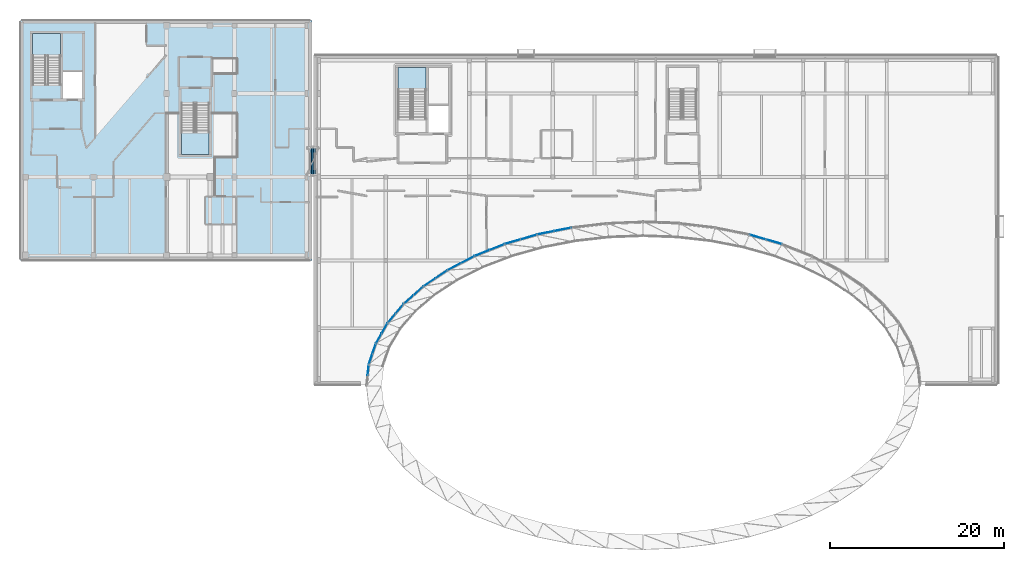
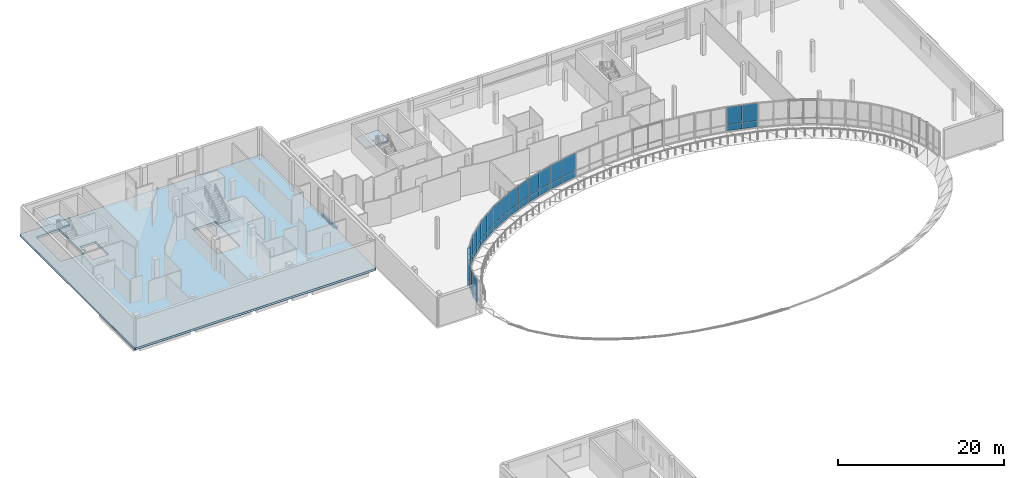
# One storey, part 19 of 41: 44 plates, 5 slabs, 14 elements without a shape of their own.
"""IFC4 building model written with IfcOpenShell, lengths in metres."""

from ifc_helpers import new_model, si_unit, direction, frame, origin, origin_2d, place, context, subcontext, project, spatial, polyline, rectangle, outline, extrude, material, layer, layer_set, type_object, element, aggregate, save


model = new_model("IFC4")

# Units and contexts
model_context = context("Model", 3, precision=1e-05, world=origin(), true_north=direction((0.0, 1.0)))
body_context = subcontext(model_context, "Body", "Model", "MODEL_VIEW")
ifc_project = project(units=[si_unit("LENGTHUNIT", "METRE"), si_unit("AREAUNIT", "SQUARE_METRE"), si_unit("VOLUMEUNIT", "CUBIC_METRE"), si_unit("PLANEANGLEUNIT", "RADIAN"), si_unit("MASSUNIT", "GRAM", prefix="KILO")], contexts=[model_context])

# Site, building, storey
site_placement = place(None, origin())
site = spatial("IfcSite", under=ifc_project, at=site_placement, CompositionType="ELEMENT")
building_placement = place(site_placement, origin())
building = spatial("IfcBuilding", under=site, at=building_placement, Name="Mzevani Central Library", CompositionType="ELEMENT")
storey_placement = place(building_placement, frame((0.0, 0.0, 13.800048828125)))
storey = spatial("IfcBuildingStorey", under=building, at=storey_placement, Name="L03", CompositionType="ELEMENT", Elevation=13.800048828125)

# Curtain wall, plates
ifc_material_1 = material(Name="Thermally broken aluminium and Low-E triple glazing", Category="aluminium")
curtain_wall_type_1 = type_object("IfcCurtainWallType", Name="Elliptical Court Unitised Curtain Wall", PredefinedType="NOTDEFINED", material=ifc_material_1)
curtain_wall_1_placement = place(storey_placement, origin())
curtain_wall_1 = element("IfcCurtainWall", 1, at=curtain_wall_1_placement, inside=storey, type_object=curtain_wall_type_1, Name="L03 Elliptical Court Curtain Wall 9", PredefinedType="NOTDEFINED")
ifc_material_2 = material(Name="Thermally broken aluminium AW-6060", Category="aluminium")
ifc_layer_1 = layer(ifc_material_2, 0.0419921875, Name="CW Insulated Spandrel Panel 42")
ifc_layer_set_1 = layer_set([ifc_layer_1], Name="Thermally broken aluminium AW-6060")
plate_type_1 = type_object("IfcPlateType", Name="CW Insulated Spandrel Panel 42", PredefinedType="CURTAIN_PANEL", material=ifc_layer_set_1)
plate_1_placement = place(storey_placement, frame((99.014404296875, 92.556640625, 0.719970703125), z_axis=(0.0, 0.0, 1.0), x_axis=(-0.960310239652, 0.278934120574, 0.0)))
plate_1 = element("IfcPlate", 2, at=plate_1_placement, type_object=plate_type_1, Name="L03 Elliptical Court Curtain Wall 9 Spandrel Panel 1", PredefinedType="CURTAIN_PANEL", context=body_context, shape_type="SweptSolid", body=[
    extrude(rectangle(XDim=1.93017578125, YDim=0.0419921875, at=origin_2d()), origin(), (0.0, 0.0, 1.0), 0.89990234375),
])
plate_2_placement = place(storey_placement, frame((97.160888671875, 93.094970703125, 0.719970703125), z_axis=(0.0, 0.0, 1.0), x_axis=(-0.960310239652, 0.278934120574, 0.0)))
plate_2 = element("IfcPlate", 3, at=plate_2_placement, type_object=plate_type_1, Name="L03 Elliptical Court Curtain Wall 9 Spandrel Panel 3", PredefinedType="CURTAIN_PANEL", context=body_context, shape_type="SweptSolid", body=[
    extrude(rectangle(XDim=1.93017578125, YDim=0.0419921875, at=origin_2d()), origin(), (0.0, 0.0, 1.0), 0.89990234375),
])

curtain_wall_2_placement = place(storey_placement, origin())
curtain_wall_2 = element("IfcCurtainWall", 4, at=curtain_wall_2_placement, inside=storey, type_object=curtain_wall_type_1, Name="L03 Elliptical Court Curtain Wall 15", PredefinedType="NOTDEFINED")
plate_3_placement = place(storey_placement, frame((74.73291015625, 93.97314453125, 0.719970703125), z_axis=(0.0, 0.0, 1.0), x_axis=(-0.980591396284, -0.196062524553, 0.0)))
plate_3 = element("IfcPlate", 5, at=plate_3_placement, type_object=plate_type_1, Name="L03 Elliptical Court Curtain Wall 15 Spandrel Panel 1", PredefinedType="CURTAIN_PANEL", context=body_context, shape_type="SweptSolid", body=[
    extrude(rectangle(XDim=1.995849609375, YDim=0.0419921875, at=origin_2d()), origin(), (0.0, 0.0, 1.0), 0.89990234375),
])
plate_4_placement = place(storey_placement, frame((72.77587890625, 93.581787109375, 0.719970703125), z_axis=(0.0, 0.0, 1.0), x_axis=(-0.980591396284, -0.196062524553, 0.0)))
plate_4 = element("IfcPlate", 6, at=plate_4_placement, type_object=plate_type_1, Name="L03 Elliptical Court Curtain Wall 15 Spandrel Panel 3", PredefinedType="CURTAIN_PANEL", context=body_context, shape_type="SweptSolid", body=[
    extrude(rectangle(XDim=1.995849609375, YDim=0.0419921875, at=origin_2d()), origin(), (0.0, 0.0, 1.0), 0.89990234375),
])

curtain_wall_type_2 = type_object("IfcCurtainWallType", Name="Reading Hall Northlight Curtain Wall", PredefinedType="NOTDEFINED", material=ifc_material_1)
curtain_wall_3_placement = place(storey_placement, origin())
curtain_wall_3 = element("IfcCurtainWall", 7, at=curtain_wall_3_placement, inside=storey, type_object=curtain_wall_type_2, Name="L03 Elliptical Court Curtain Wall 16", PredefinedType="NOTDEFINED")
plate_5_placement = place(storey_placement, frame((70.839111328125, 93.094970703125, 0.719970703125), z_axis=(0.0, 0.0, 1.0), x_axis=(-0.960310239652, -0.278934120574, 0.0)))
plate_5 = element("IfcPlate", 8, at=plate_5_placement, type_object=plate_type_1, Name="L03 Elliptical Court Curtain Wall 16 Spandrel Panel 1", PredefinedType="CURTAIN_PANEL", context=body_context, shape_type="SweptSolid", body=[
    extrude(rectangle(XDim=1.93017578125, YDim=0.0419921875, at=origin_2d()), origin(), (0.0, 0.0, 1.0), 0.89990234375),
])
plate_6_placement = place(storey_placement, frame((68.985595703125, 92.556640625, 0.719970703125), z_axis=(0.0, 0.0, 1.0), x_axis=(-0.960310239652, -0.278934120574, 0.0)))
plate_6 = element("IfcPlate", 9, at=plate_6_placement, type_object=plate_type_1, Name="L03 Elliptical Court Curtain Wall 16 Spandrel Panel 3", PredefinedType="CURTAIN_PANEL", context=body_context, shape_type="SweptSolid", body=[
    extrude(rectangle(XDim=1.93017578125, YDim=0.0419921875, at=origin_2d()), origin(), (0.0, 0.0, 1.0), 0.89990234375),
])

curtain_wall_4_placement = place(storey_placement, origin())
curtain_wall_4 = element("IfcCurtainWall", 10, at=curtain_wall_4_placement, inside=storey, type_object=curtain_wall_type_1, Name="L03 Elliptical Court Curtain Wall 17", PredefinedType="NOTDEFINED")
plate_7_placement = place(storey_placement, frame((67.17578125, 91.926025390625, 0.719970703125), z_axis=(0.0, 0.0, 1.0), x_axis=(-0.930531383506, -0.366212157513, 0.0)))
plate_7 = element("IfcPlate", 11, at=plate_7_placement, type_object=plate_type_1, Name="L03 Elliptical Court Curtain Wall 17 Spandrel Panel 1", PredefinedType="CURTAIN_PANEL", context=body_context, shape_type="SweptSolid", body=[
    extrude(rectangle(XDim=1.8466796875, YDim=0.0419921875, at=origin_2d()), origin(), (0.0, 0.0, 1.0), 0.89990234375),
])
plate_8_placement = place(storey_placement, frame((65.457275390625, 91.249755859375, 0.719970703125), z_axis=(0.0, 0.0, 1.0), x_axis=(-0.930531383506, -0.366212157513, 0.0)))
plate_8 = element("IfcPlate", 12, at=plate_8_placement, type_object=plate_type_1, Name="L03 Elliptical Court Curtain Wall 17 Spandrel Panel 3", PredefinedType="CURTAIN_PANEL", context=body_context, shape_type="SweptSolid", body=[
    extrude(rectangle(XDim=1.8466796875, YDim=0.0419921875, at=origin_2d()), origin(), (0.0, 0.0, 1.0), 0.89990234375),
])

curtain_wall_5_placement = place(storey_placement, origin())
curtain_wall_5 = element("IfcCurtainWall", 13, at=curtain_wall_5_placement, inside=storey, type_object=curtain_wall_type_1, Name="L03 Elliptical Court Curtain Wall 18", PredefinedType="NOTDEFINED")
plate_9_placement = place(storey_placement, frame((63.803466796875, 90.487548828125, 0.719970703125), z_axis=(0.0, 0.0, 1.0), x_axis=(-0.888465890854, -0.458942655229, 0.0)))
plate_9 = element("IfcPlate", 14, at=plate_9_placement, type_object=plate_type_1, Name="L03 Elliptical Court Curtain Wall 18 Spandrel Panel 1", PredefinedType="CURTAIN_PANEL", context=body_context, shape_type="SweptSolid", body=[
    extrude(rectangle(XDim=1.748779296875, YDim=0.0419921875, at=origin_2d()), origin(), (0.0, 0.0, 1.0), 0.89990234375),
])
plate_10_placement = place(storey_placement, frame((62.249755859375, 89.684814453125, 0.719970703125), z_axis=(0.0, 0.0, 1.0), x_axis=(-0.888465890854, -0.458942655229, 0.0)))
plate_10 = element("IfcPlate", 15, at=plate_10_placement, type_object=plate_type_1, Name="L03 Elliptical Court Curtain Wall 18 Spandrel Panel 3", PredefinedType="CURTAIN_PANEL", context=body_context, shape_type="SweptSolid", body=[
    extrude(rectangle(XDim=1.748779296875, YDim=0.0419921875, at=origin_2d()), origin(), (0.0, 0.0, 1.0), 0.89990234375),
])

curtain_wall_6_placement = place(storey_placement, origin())
curtain_wall_6 = element("IfcCurtainWall", 16, at=curtain_wall_6_placement, inside=storey, type_object=curtain_wall_type_2, Name="L03 Elliptical Court Curtain Wall 19", PredefinedType="NOTDEFINED")
plate_11_placement = place(storey_placement, frame((60.778564453125, 88.80419921875, 0.719970703125), z_axis=(0.0, 0.0, 1.0), x_axis=(-0.830137838959, -0.557558219676, 0.0)))
plate_11 = element("IfcPlate", 17, at=plate_11_placement, type_object=plate_type_1, Name="L03 Elliptical Court Curtain Wall 19 Spandrel Panel 1", PredefinedType="CURTAIN_PANEL", context=body_context, shape_type="SweptSolid", body=[
    extrude(rectangle(XDim=1.6416015625, YDim=0.0419921875, at=origin_2d()), origin(), (0.0, 0.0, 1.0), 0.89990234375),
])
plate_12_placement = place(storey_placement, frame((59.416015625, 87.888916015625, 0.719970703125), z_axis=(0.0, 0.0, 1.0), x_axis=(-0.830137838959, -0.557558219676, 0.0)))
plate_12 = element("IfcPlate", 18, at=plate_12_placement, type_object=plate_type_1, Name="L03 Elliptical Court Curtain Wall 19 Spandrel Panel 3", PredefinedType="CURTAIN_PANEL", context=body_context, shape_type="SweptSolid", body=[
    extrude(rectangle(XDim=1.6416015625, YDim=0.0419921875, at=origin_2d()), origin(), (0.0, 0.0, 1.0), 0.89990234375),
])

curtain_wall_7_placement = place(storey_placement, origin())
curtain_wall_7 = element("IfcCurtainWall", 19, at=curtain_wall_7_placement, inside=storey, type_object=curtain_wall_type_1, Name="L03 Elliptical Court Curtain Wall 20", PredefinedType="NOTDEFINED")
plate_13_placement = place(storey_placement, frame((58.151123046875, 86.905029296875, 0.719970703125), z_axis=(0.0, 0.0, 1.0), x_axis=(-0.750151465474, -0.661266042412, 0.0)))
plate_13 = element("IfcPlate", 20, at=plate_13_placement, type_object=plate_type_1, Name="L03 Elliptical Court Curtain Wall 20 Spandrel Panel 1", PredefinedType="CURTAIN_PANEL", context=body_context, shape_type="SweptSolid", body=[
    extrude(rectangle(XDim=1.530517578125, YDim=0.0419921875, at=origin_2d()), origin(), (0.0, 0.0, 1.0), 0.89990234375),
])
plate_14_placement = place(storey_placement, frame((57.0029296875, 85.892822265625, 0.719970703125), z_axis=(0.0, 0.0, 1.0), x_axis=(-0.750151465474, -0.661266042412, 0.0)))
plate_14 = element("IfcPlate", 21, at=plate_14_placement, type_object=plate_type_1, Name="L03 Elliptical Court Curtain Wall 20 Spandrel Panel 3", PredefinedType="CURTAIN_PANEL", context=body_context, shape_type="SweptSolid", body=[
    extrude(rectangle(XDim=1.530517578125, YDim=0.0419921875, at=origin_2d()), origin(), (0.0, 0.0, 1.0), 0.89990234375),
])

curtain_wall_8_placement = place(storey_placement, origin())
curtain_wall_8 = element("IfcCurtainWall", 22, at=curtain_wall_8_placement, inside=storey, type_object=curtain_wall_type_1, Name="L03 Elliptical Court Curtain Wall 21", PredefinedType="NOTDEFINED")
plate_15_placement = place(storey_placement, frame((55.96533203125, 84.821533203125, 0.719970703125), z_axis=(0.0, 0.0, 1.0), x_axis=(-0.641968999293, -0.766730594111, 0.0)))
plate_15 = element("IfcPlate", 23, at=plate_15_placement, type_object=plate_type_1, Name="L03 Elliptical Court Curtain Wall 21 Spandrel Panel 1", PredefinedType="CURTAIN_PANEL", context=body_context, shape_type="SweptSolid", body=[
    extrude(rectangle(XDim=1.423828125, YDim=0.0419921875, at=origin_2d()), origin(), (0.0, 0.0, 1.0), 0.89990234375),
])
plate_16_placement = place(storey_placement, frame((55.05126953125, 83.72998046875, 0.719970703125), z_axis=(0.0, 0.0, 1.0), x_axis=(-0.641968999293, -0.766730594111, 0.0)))
plate_16 = element("IfcPlate", 24, at=plate_16_placement, type_object=plate_type_1, Name="L03 Elliptical Court Curtain Wall 21 Spandrel Panel 3", PredefinedType="CURTAIN_PANEL", context=body_context, shape_type="SweptSolid", body=[
    extrude(rectangle(XDim=1.423828125, YDim=0.0419921875, at=origin_2d()), origin(), (0.0, 0.0, 1.0), 0.89990234375),
])

curtain_wall_9_placement = place(storey_placement, origin())
curtain_wall_9 = element("IfcCurtainWall", 25, at=curtain_wall_9_placement, inside=storey, type_object=curtain_wall_type_2, Name="L03 Elliptical Court Curtain Wall 22", PredefinedType="NOTDEFINED")
plate_17_placement = place(storey_placement, frame((54.257568359375, 82.58935546875, 0.719970703125), z_axis=(0.0, 0.0, 1.0), x_axis=(-0.499345378011, -0.866403020228, 0.0)))
plate_17 = element("IfcPlate", 26, at=plate_17_placement, type_object=plate_type_1, Name="L03 Elliptical Court Curtain Wall 22 Spandrel Panel 1", PredefinedType="CURTAIN_PANEL", context=body_context, shape_type="SweptSolid", body=[
    extrude(rectangle(XDim=1.330322265625, YDim=0.0419921875, at=origin_2d()), origin(), (0.0, 0.0, 1.0), 0.89990234375),
])
plate_18_placement = place(storey_placement, frame((53.59326171875, 81.436767578125, 0.719970703125), z_axis=(0.0, 0.0, 1.0), x_axis=(-0.499345378011, -0.866403020228, 0.0)))
plate_18 = element("IfcPlate", 27, at=plate_18_placement, type_object=plate_type_1, Name="L03 Elliptical Court Curtain Wall 22 Spandrel Panel 3", PredefinedType="CURTAIN_PANEL", context=body_context, shape_type="SweptSolid", body=[
    extrude(rectangle(XDim=1.330322265625, YDim=0.0419921875, at=origin_2d()), origin(), (0.0, 0.0, 1.0), 0.89990234375),
])

curtain_wall_10_placement = place(storey_placement, origin())
curtain_wall_10 = element("IfcCurtainWall", 28, at=curtain_wall_10_placement, inside=storey, type_object=curtain_wall_type_1, Name="L03 Elliptical Court Curtain Wall 23", PredefinedType="NOTDEFINED")
plate_19_placement = place(storey_placement, frame((53.056640625, 80.245849609375, 0.719970703125), z_axis=(0.0, 0.0, 1.0), x_axis=(-0.31996321005, -0.947429967974, 0.0)))
plate_19 = element("IfcPlate", 29, at=plate_19_placement, type_object=plate_type_1, Name="L03 Elliptical Court Curtain Wall 23 Spandrel Panel 1", PredefinedType="CURTAIN_PANEL", context=body_context, shape_type="SweptSolid", body=[
    extrude(rectangle(XDim=1.260009765625, YDim=0.0419921875, at=origin_2d()), origin(), (0.0, 0.0, 1.0), 0.89990234375),
])
plate_20_placement = place(storey_placement, frame((52.6533203125, 79.052001953125, 0.719970703125), z_axis=(0.0, 0.0, 1.0), x_axis=(-0.31996321005, -0.947429967974, 0.0)))
plate_20 = element("IfcPlate", 30, at=plate_20_placement, type_object=plate_type_1, Name="L03 Elliptical Court Curtain Wall 23 Spandrel Panel 3", PredefinedType="CURTAIN_PANEL", context=body_context, shape_type="SweptSolid", body=[
    extrude(rectangle(XDim=1.260009765625, YDim=0.0419921875, at=origin_2d()), origin(), (0.0, 0.0, 1.0), 0.89990234375),
])

# Curtain wall, plate
curtain_wall_11_placement = place(storey_placement, origin())
curtain_wall_11 = element("IfcCurtainWall", 31, at=curtain_wall_11_placement, inside=storey, type_object=curtain_wall_type_1, Name="L03 Elliptical Court Curtain Wall 24", PredefinedType="NOTDEFINED")
plate_21_placement = place(storey_placement, frame((52.3828125, 77.83056640625, 0.719970703125), z_axis=(0.0, 0.0, 1.0), x_axis=(-0.110579113657, -0.99386732496, 0.0)))
plate_21 = element("IfcPlate", 32, at=plate_21_placement, type_object=plate_type_1, Name="L03 Elliptical Court Curtain Wall 24 Spandrel Panel 1", PredefinedType="CURTAIN_PANEL", context=body_context, shape_type="SweptSolid", body=[
    extrude(rectangle(XDim=1.22216796875, YDim=0.0419921875, at=origin_2d()), origin(), (0.0, 0.0, 1.0), 0.89990234375),
])

# Plate
ifc_material_3 = material(Name="Low-E triple glazing glass", Category="glass")
ifc_layer_2 = layer(ifc_material_3, 0.028076171875, Name="CW Triple Glazed Vision Panel 28")
ifc_layer_set_2 = layer_set([ifc_layer_2], Name="Low-E triple glazing glass")
plate_type_2 = type_object("IfcPlateType", Name="CW Triple Glazed Vision Panel 28", PredefinedType="CURTAIN_PANEL", material=ifc_layer_set_2)
plate_22_placement = place(storey_placement, frame((99.014404296875, 92.556640625, 1.619873046875), z_axis=(0.0, 0.0, 1.0), x_axis=(-0.960310239652, 0.278934120574, 0.0)))
plate_22 = element("IfcPlate", 33, at=plate_22_placement, type_object=plate_type_2, Name="L03 Elliptical Court Curtain Wall 9 Vision Panel 2", PredefinedType="CURTAIN_PANEL", context=body_context, shape_type="SweptSolid", body=[
    extrude(rectangle(XDim=1.93017578125, YDim=0.028076171875, at=origin_2d()), origin(), (0.0, 0.0, 1.0), 2.60009765625),
])

plate_23_placement = place(storey_placement, frame((97.160888671875, 93.094970703125, 1.619873046875), z_axis=(0.0, 0.0, 1.0), x_axis=(-0.960310239652, 0.278934120574, 0.0)))
plate_23 = element("IfcPlate", 34, at=plate_23_placement, type_object=plate_type_2, Name="L03 Elliptical Court Curtain Wall 9 Vision Panel 4", PredefinedType="CURTAIN_PANEL", context=body_context, shape_type="SweptSolid", body=[
    extrude(rectangle(XDim=1.93017578125, YDim=0.028076171875, at=origin_2d()), origin(), (0.0, 0.0, 1.0), 2.60009765625),
])

aggregate(curtain_wall_1, [plate_1, plate_22, plate_2, plate_23])

plate_24_placement = place(storey_placement, frame((74.73291015625, 93.97314453125, 1.619873046875), z_axis=(0.0, 0.0, 1.0), x_axis=(-0.980591396284, -0.196062524553, 0.0)))
plate_24 = element("IfcPlate", 35, at=plate_24_placement, type_object=plate_type_2, Name="L03 Elliptical Court Curtain Wall 15 Vision Panel 2", PredefinedType="CURTAIN_PANEL", context=body_context, shape_type="SweptSolid", body=[
    extrude(rectangle(XDim=1.995849609375, YDim=0.028076171875, at=origin_2d()), origin(), (0.0, 0.0, 1.0), 2.60009765625),
])

plate_25_placement = place(storey_placement, frame((72.77587890625, 93.581787109375, 1.619873046875), z_axis=(0.0, 0.0, 1.0), x_axis=(-0.980591396284, -0.196062524553, 0.0)))
plate_25 = element("IfcPlate", 36, at=plate_25_placement, type_object=plate_type_2, Name="L03 Elliptical Court Curtain Wall 15 Vision Panel 4", PredefinedType="CURTAIN_PANEL", context=body_context, shape_type="SweptSolid", body=[
    extrude(rectangle(XDim=1.995849609375, YDim=0.028076171875, at=origin_2d()), origin(), (0.0, 0.0, 1.0), 2.60009765625),
])

aggregate(curtain_wall_2, [plate_3, plate_24, plate_4, plate_25])

plate_26_placement = place(storey_placement, frame((70.839111328125, 93.094970703125, 1.619873046875), z_axis=(0.0, 0.0, 1.0), x_axis=(-0.960310239652, -0.278934120574, 0.0)))
plate_26 = element("IfcPlate", 37, at=plate_26_placement, type_object=plate_type_2, Name="L03 Elliptical Court Curtain Wall 16 Vision Panel 2", PredefinedType="CURTAIN_PANEL", context=body_context, shape_type="SweptSolid", body=[
    extrude(rectangle(XDim=1.93017578125, YDim=0.028076171875, at=origin_2d()), origin(), (0.0, 0.0, 1.0), 2.60009765625),
])

plate_27_placement = place(storey_placement, frame((68.985595703125, 92.556640625, 1.619873046875), z_axis=(0.0, 0.0, 1.0), x_axis=(-0.960310239652, -0.278934120574, 0.0)))
plate_27 = element("IfcPlate", 38, at=plate_27_placement, type_object=plate_type_2, Name="L03 Elliptical Court Curtain Wall 16 Vision Panel 4", PredefinedType="CURTAIN_PANEL", context=body_context, shape_type="SweptSolid", body=[
    extrude(rectangle(XDim=1.93017578125, YDim=0.028076171875, at=origin_2d()), origin(), (0.0, 0.0, 1.0), 2.60009765625),
])

aggregate(curtain_wall_3, [plate_5, plate_26, plate_6, plate_27])

plate_28_placement = place(storey_placement, frame((67.17578125, 91.926025390625, 1.619873046875), z_axis=(0.0, 0.0, 1.0), x_axis=(-0.930531383506, -0.366212157513, 0.0)))
plate_28 = element("IfcPlate", 39, at=plate_28_placement, type_object=plate_type_2, Name="L03 Elliptical Court Curtain Wall 17 Vision Panel 2", PredefinedType="CURTAIN_PANEL", context=body_context, shape_type="SweptSolid", body=[
    extrude(rectangle(XDim=1.8466796875, YDim=0.028076171875, at=origin_2d()), origin(), (0.0, 0.0, 1.0), 2.60009765625),
])

plate_29_placement = place(storey_placement, frame((65.457275390625, 91.249755859375, 1.619873046875), z_axis=(0.0, 0.0, 1.0), x_axis=(-0.930531383506, -0.366212157513, 0.0)))
plate_29 = element("IfcPlate", 40, at=plate_29_placement, type_object=plate_type_2, Name="L03 Elliptical Court Curtain Wall 17 Vision Panel 4", PredefinedType="CURTAIN_PANEL", context=body_context, shape_type="SweptSolid", body=[
    extrude(rectangle(XDim=1.8466796875, YDim=0.028076171875, at=origin_2d()), origin(), (0.0, 0.0, 1.0), 2.60009765625),
])

aggregate(curtain_wall_4, [plate_7, plate_28, plate_8, plate_29])

plate_30_placement = place(storey_placement, frame((63.803466796875, 90.487548828125, 1.619873046875), z_axis=(0.0, 0.0, 1.0), x_axis=(-0.888465890854, -0.458942655229, 0.0)))
plate_30 = element("IfcPlate", 41, at=plate_30_placement, type_object=plate_type_2, Name="L03 Elliptical Court Curtain Wall 18 Vision Panel 2", PredefinedType="CURTAIN_PANEL", context=body_context, shape_type="SweptSolid", body=[
    extrude(rectangle(XDim=1.748779296875, YDim=0.028076171875, at=origin_2d()), origin(), (0.0, 0.0, 1.0), 2.60009765625),
])

plate_31_placement = place(storey_placement, frame((62.249755859375, 89.684814453125, 1.619873046875), z_axis=(0.0, 0.0, 1.0), x_axis=(-0.888465890854, -0.458942655229, 0.0)))
plate_31 = element("IfcPlate", 42, at=plate_31_placement, type_object=plate_type_2, Name="L03 Elliptical Court Curtain Wall 18 Vision Panel 4", PredefinedType="CURTAIN_PANEL", context=body_context, shape_type="SweptSolid", body=[
    extrude(rectangle(XDim=1.748779296875, YDim=0.028076171875, at=origin_2d()), origin(), (0.0, 0.0, 1.0), 2.60009765625),
])

aggregate(curtain_wall_5, [plate_9, plate_30, plate_10, plate_31])

plate_32_placement = place(storey_placement, frame((60.778564453125, 88.80419921875, 1.619873046875), z_axis=(0.0, 0.0, 1.0), x_axis=(-0.830137838959, -0.557558219676, 0.0)))
plate_32 = element("IfcPlate", 43, at=plate_32_placement, type_object=plate_type_2, Name="L03 Elliptical Court Curtain Wall 19 Vision Panel 2", PredefinedType="CURTAIN_PANEL", context=body_context, shape_type="SweptSolid", body=[
    extrude(rectangle(XDim=1.6416015625, YDim=0.028076171875, at=origin_2d()), origin(), (0.0, 0.0, 1.0), 2.60009765625),
])

plate_33_placement = place(storey_placement, frame((59.416015625, 87.888916015625, 1.619873046875), z_axis=(0.0, 0.0, 1.0), x_axis=(-0.830137838959, -0.557558219676, 0.0)))
plate_33 = element("IfcPlate", 44, at=plate_33_placement, type_object=plate_type_2, Name="L03 Elliptical Court Curtain Wall 19 Vision Panel 4", PredefinedType="CURTAIN_PANEL", context=body_context, shape_type="SweptSolid", body=[
    extrude(rectangle(XDim=1.6416015625, YDim=0.028076171875, at=origin_2d()), origin(), (0.0, 0.0, 1.0), 2.60009765625),
])

aggregate(curtain_wall_6, [plate_11, plate_32, plate_12, plate_33])

plate_34_placement = place(storey_placement, frame((58.151123046875, 86.905029296875, 1.619873046875), z_axis=(0.0, 0.0, 1.0), x_axis=(-0.750151465474, -0.661266042412, 0.0)))
plate_34 = element("IfcPlate", 45, at=plate_34_placement, type_object=plate_type_2, Name="L03 Elliptical Court Curtain Wall 20 Vision Panel 2", PredefinedType="CURTAIN_PANEL", context=body_context, shape_type="SweptSolid", body=[
    extrude(rectangle(XDim=1.530517578125, YDim=0.028076171875, at=origin_2d()), origin(), (0.0, 0.0, 1.0), 2.60009765625),
])

plate_35_placement = place(storey_placement, frame((57.0029296875, 85.892822265625, 1.619873046875), z_axis=(0.0, 0.0, 1.0), x_axis=(-0.750151465474, -0.661266042412, 0.0)))
plate_35 = element("IfcPlate", 46, at=plate_35_placement, type_object=plate_type_2, Name="L03 Elliptical Court Curtain Wall 20 Vision Panel 4", PredefinedType="CURTAIN_PANEL", context=body_context, shape_type="SweptSolid", body=[
    extrude(rectangle(XDim=1.530517578125, YDim=0.028076171875, at=origin_2d()), origin(), (0.0, 0.0, 1.0), 2.60009765625),
])

aggregate(curtain_wall_7, [plate_13, plate_34, plate_14, plate_35])

plate_36_placement = place(storey_placement, frame((55.96533203125, 84.821533203125, 1.619873046875), z_axis=(0.0, 0.0, 1.0), x_axis=(-0.641968999293, -0.766730594111, 0.0)))
plate_36 = element("IfcPlate", 47, at=plate_36_placement, type_object=plate_type_2, Name="L03 Elliptical Court Curtain Wall 21 Vision Panel 2", PredefinedType="CURTAIN_PANEL", context=body_context, shape_type="SweptSolid", body=[
    extrude(rectangle(XDim=1.423828125, YDim=0.028076171875, at=origin_2d()), origin(), (0.0, 0.0, 1.0), 2.60009765625),
])

plate_37_placement = place(storey_placement, frame((55.05126953125, 83.72998046875, 1.619873046875), z_axis=(0.0, 0.0, 1.0), x_axis=(-0.641968999293, -0.766730594111, 0.0)))
plate_37 = element("IfcPlate", 48, at=plate_37_placement, type_object=plate_type_2, Name="L03 Elliptical Court Curtain Wall 21 Vision Panel 4", PredefinedType="CURTAIN_PANEL", context=body_context, shape_type="SweptSolid", body=[
    extrude(rectangle(XDim=1.423828125, YDim=0.028076171875, at=origin_2d()), origin(), (0.0, 0.0, 1.0), 2.60009765625),
])

aggregate(curtain_wall_8, [plate_15, plate_36, plate_16, plate_37])

plate_38_placement = place(storey_placement, frame((54.257568359375, 82.58935546875, 1.619873046875), z_axis=(0.0, 0.0, 1.0), x_axis=(-0.499345378011, -0.866403020228, 0.0)))
plate_38 = element("IfcPlate", 49, at=plate_38_placement, type_object=plate_type_2, Name="L03 Elliptical Court Curtain Wall 22 Vision Panel 2", PredefinedType="CURTAIN_PANEL", context=body_context, shape_type="SweptSolid", body=[
    extrude(rectangle(XDim=1.330322265625, YDim=0.028076171875, at=origin_2d()), origin(), (0.0, 0.0, 1.0), 2.60009765625),
])

plate_39_placement = place(storey_placement, frame((53.59326171875, 81.436767578125, 1.619873046875), z_axis=(0.0, 0.0, 1.0), x_axis=(-0.499345378011, -0.866403020228, 0.0)))
plate_39 = element("IfcPlate", 50, at=plate_39_placement, type_object=plate_type_2, Name="L03 Elliptical Court Curtain Wall 22 Vision Panel 4", PredefinedType="CURTAIN_PANEL", context=body_context, shape_type="SweptSolid", body=[
    extrude(rectangle(XDim=1.330322265625, YDim=0.028076171875, at=origin_2d()), origin(), (0.0, 0.0, 1.0), 2.60009765625),
])

aggregate(curtain_wall_9, [plate_17, plate_38, plate_18, plate_39])

plate_40_placement = place(storey_placement, frame((53.056640625, 80.245849609375, 1.619873046875), z_axis=(0.0, 0.0, 1.0), x_axis=(-0.31996321005, -0.947429967974, 0.0)))
plate_40 = element("IfcPlate", 51, at=plate_40_placement, type_object=plate_type_2, Name="L03 Elliptical Court Curtain Wall 23 Vision Panel 2", PredefinedType="CURTAIN_PANEL", context=body_context, shape_type="SweptSolid", body=[
    extrude(rectangle(XDim=1.260009765625, YDim=0.028076171875, at=origin_2d()), origin(), (0.0, 0.0, 1.0), 2.60009765625),
])

plate_41_placement = place(storey_placement, frame((52.6533203125, 79.052001953125, 1.619873046875), z_axis=(0.0, 0.0, 1.0), x_axis=(-0.31996321005, -0.947429967974, 0.0)))
plate_41 = element("IfcPlate", 52, at=plate_41_placement, type_object=plate_type_2, Name="L03 Elliptical Court Curtain Wall 23 Vision Panel 4", PredefinedType="CURTAIN_PANEL", context=body_context, shape_type="SweptSolid", body=[
    extrude(rectangle(XDim=1.260009765625, YDim=0.028076171875, at=origin_2d()), origin(), (0.0, 0.0, 1.0), 2.60009765625),
])

aggregate(curtain_wall_10, [plate_19, plate_40, plate_20, plate_41])

plate_42_placement = place(storey_placement, frame((52.3828125, 77.83056640625, 1.619873046875), z_axis=(0.0, 0.0, 1.0), x_axis=(-0.110579113657, -0.99386732496, 0.0)))
plate_42 = element("IfcPlate", 53, at=plate_42_placement, type_object=plate_type_2, Name="L03 Elliptical Court Curtain Wall 24 Vision Panel 2", PredefinedType="CURTAIN_PANEL", context=body_context, shape_type="SweptSolid", body=[
    extrude(rectangle(XDim=1.22216796875, YDim=0.028076171875, at=origin_2d()), origin(), (0.0, 0.0, 1.0), 2.60009765625),
])

aggregate(curtain_wall_11, [plate_21, plate_42])

# Slabs
ifc_material_4 = material(Name="Concrete C40/50", Category="concrete")
ifc_layer_3 = layer(ifc_material_4, 0.320068359375, Name="Compact Stack Floor Slab 320")
ifc_layer_set_3 = layer_set([ifc_layer_3], Name="Concrete C40/50")
slab_type_1 = type_object("IfcSlabType", Name="Compact Stack Floor Slab 320", PredefinedType="FLOOR", material=ifc_layer_set_3)
slab_1_placement = place(storey_placement, frame((0.0, 0.0, -0.320068359375)))
element("IfcSlab", 54, at=slab_1_placement, inside=storey, type_object=slab_type_1, Name="L03 V2 Structural Slab FS-04", PredefinedType="FLOOR", context=body_context, shape_type="SweptSolid", body=[
    extrude(outline(polyline([(45.89990234375, 90.39990234375), (12.39990234375, 90.39990234375), (12.39990234375, 118.0), (45.89990234375, 118.0), (45.89990234375, 90.39990234375)]), holes=[polyline([(17.0, 110.60009765625), (17.0, 116.5), (13.800048828125, 116.5), (13.800048828125, 110.60009765625), (17.0, 110.60009765625)]), polyline([(17.300048828125, 109.0), (19.5, 109.0), (19.5, 112.10009765625), (17.300048828125, 112.10009765625), (17.300048828125, 109.0)]), polyline([(30.89990234375, 108.5), (30.89990234375, 102.60009765625), (34.10009765625, 102.60009765625), (34.10009765625, 108.5), (30.89990234375, 108.5)])]), origin(), (0.0, 0.0, 1.0), 0.320068359375),
])
ifc_material_5 = material(Name="Concrete C35/45", Category="concrete")
ifc_layer_4 = layer(ifc_material_5, 0.239990234375, Name="Seismic Link Bridge Deck 240")
ifc_layer_set_4 = layer_set([ifc_layer_4], Name="Concrete C35/45")
slab_type_2 = type_object("IfcSlabType", Name="Seismic Link Bridge Deck 240", PredefinedType="FLOOR", material=ifc_layer_set_4)
slab_2_placement = place(storey_placement, frame((0.0, 0.0, -0.239990234375)))
element("IfcSlab", 55, at=slab_2_placement, inside=storey, type_object=slab_type_2, Name="L03 Stacks-Court Seismic Passage L03 Deck", PredefinedType="FLOOR", context=body_context, shape_type="SweptSolid", body=[
    extrude(outline(polyline([(45.89990234375, 100.0), (46.10009765625, 100.0), (46.10009765625, 103.60009765625), (45.89990234375, 103.60009765625), (45.89990234375, 100.0)])), origin(), (0.0, 0.0, 1.0), 0.239990234375),
])

# Stair, slab
stair_type = type_object("IfcStairType", Name="Dogleg Exit Stair 173x280", PredefinedType="HALF_TURN_STAIR", material=ifc_material_5)
stair_1_placement = place(storey_placement, origin())
stair_1 = element("IfcStair", 56, at=stair_1_placement, inside=storey, type_object=stair_type, Name="L03 Core C2A North-West Firefighting Core Exit Stair ST-03", PredefinedType="HALF_TURN_STAIR")
ifc_layer_5 = layer(ifc_material_5, 0.199951171875, Name="Stair Landing Slab 200")
ifc_layer_set_5 = layer_set([ifc_layer_5], Name="Concrete C35/45")
slab_type_3 = type_object("IfcSlabType", Name="Stair Landing Slab 200", PredefinedType="LANDING", material=ifc_layer_set_5)
slab_3_placement = place(storey_placement, frame((0.0, 0.0, 2.050048828125)))
slab_3 = element("IfcSlab", 57, at=slab_3_placement, type_object=slab_type_3, Name="ST-03 landing 1", PredefinedType="LANDING", context=body_context, shape_type="SweptSolid", body=[
    extrude(outline(polyline([(17.0, 113.9599609375), (17.0, 116.5), (13.800048828125, 116.5), (13.800048828125, 113.9599609375), (17.0, 113.9599609375)])), origin(), (0.0, 0.0, 1.0), 0.199951171875),
])
aggregate(stair_1, [slab_3])

stair_2_placement = place(storey_placement, origin())
stair_2 = element("IfcStair", 58, at=stair_2_placement, inside=storey, type_object=stair_type, Name="L03 Core C2B Stacks East Escape Stair Exit Stair ST-03", PredefinedType="HALF_TURN_STAIR")
slab_4_placement = place(storey_placement, frame((0.0, 0.0, 2.050048828125)))
slab_4 = element("IfcSlab", 59, at=slab_4_placement, type_object=slab_type_3, Name="ST-04 landing 1", PredefinedType="LANDING", context=body_context, shape_type="SweptSolid", body=[
    extrude(outline(polyline([(30.89990234375, 105.139892578125), (30.89990234375, 102.60009765625), (34.10009765625, 102.60009765625), (34.10009765625, 105.139892578125), (30.89990234375, 105.139892578125)])), origin(), (0.0, 0.0, 1.0), 0.199951171875),
])
aggregate(stair_2, [slab_4])

stair_3_placement = place(storey_placement, origin())
stair_3 = element("IfcStair", 60, at=stair_3_placement, inside=storey, type_object=stair_type, Name="L03 Core C3A North-East Firefighting Core Exit Stair ST-03", PredefinedType="HALF_TURN_STAIR")
slab_5_placement = place(storey_placement, frame((0.0, 0.0, 2.050048828125)))
slab_5 = element("IfcSlab", 61, at=slab_5_placement, type_object=slab_type_3, Name="ST-05 landing 1", PredefinedType="LANDING", context=body_context, shape_type="SweptSolid", body=[
    extrude(outline(polyline([(59.0, 110.06005859375), (59.0, 112.60009765625), (55.800048828125, 112.60009765625), (55.800048828125, 110.06005859375), (59.0, 110.06005859375)])), origin(), (0.0, 0.0, 1.0), 0.199951171875),
])
aggregate(stair_3, [slab_5])

# Plates
ifc_material_6 = material(Name="Steel S355J2", Category="steel")
ifc_layer_6 = layer(ifc_material_6, 0.035888671875, Name="Truss Splice Flange Plate 36")
ifc_layer_set_6 = layer_set([ifc_layer_6], Name="Steel S355J2")
plate_type_3 = type_object("IfcPlateType", Name="Truss Splice Flange Plate 36", PredefinedType="USERDEFINED", material=ifc_layer_set_6)
for number, where, z_axis, x_axis, name in (
    (62, (45.89990234375, 101.800048828125, -0.0361328125), (0.0, 0.0, 1.0), (1.0, 0.0, 0.0), "L03 Stacks-Court Seismic Passage L03 Walkable Seismic Threshold Cover Plate 1"),
    (63, (46.10009765625, 101.800048828125, -0.0361328125), (0.0, 0.0, 1.0), (1.0, 0.0, 0.0), "L03 Stacks-Court Seismic Passage L03 Walkable Seismic Threshold Cover Plate 2"),
):
    element("IfcPlate", number, at=place(storey_placement, frame(where, z_axis=z_axis, x_axis=x_axis)), inside=storey, type_object=plate_type_3, Name=name, ObjectType="SPLICE PLATE", PredefinedType="USERDEFINED", context=body_context, shape_type="SweptSolid", body=[
        extrude(rectangle(XDim=0.419921875, YDim=3.199951171875, at=origin_2d()), origin(), (0.0, 0.0, 1.0), 0.035888671875),
    ])

save(model, "model.ifc")
